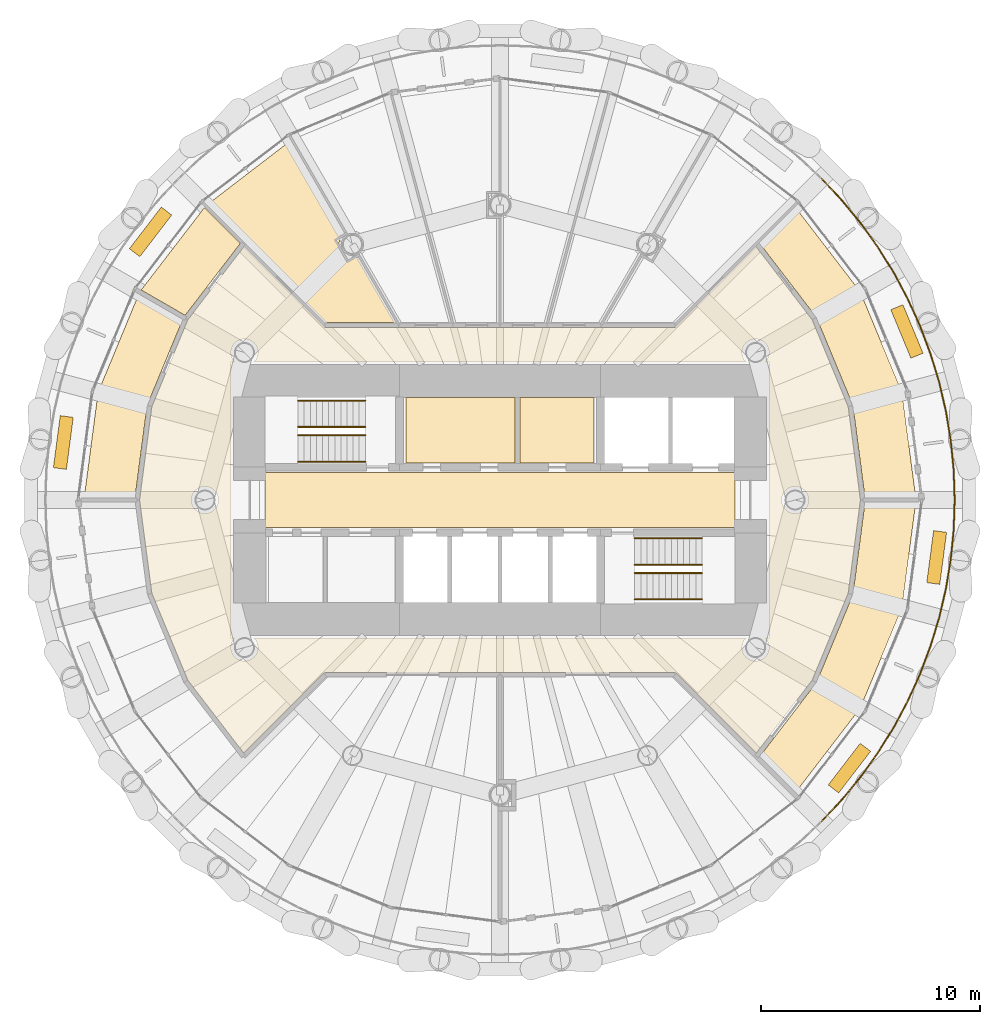
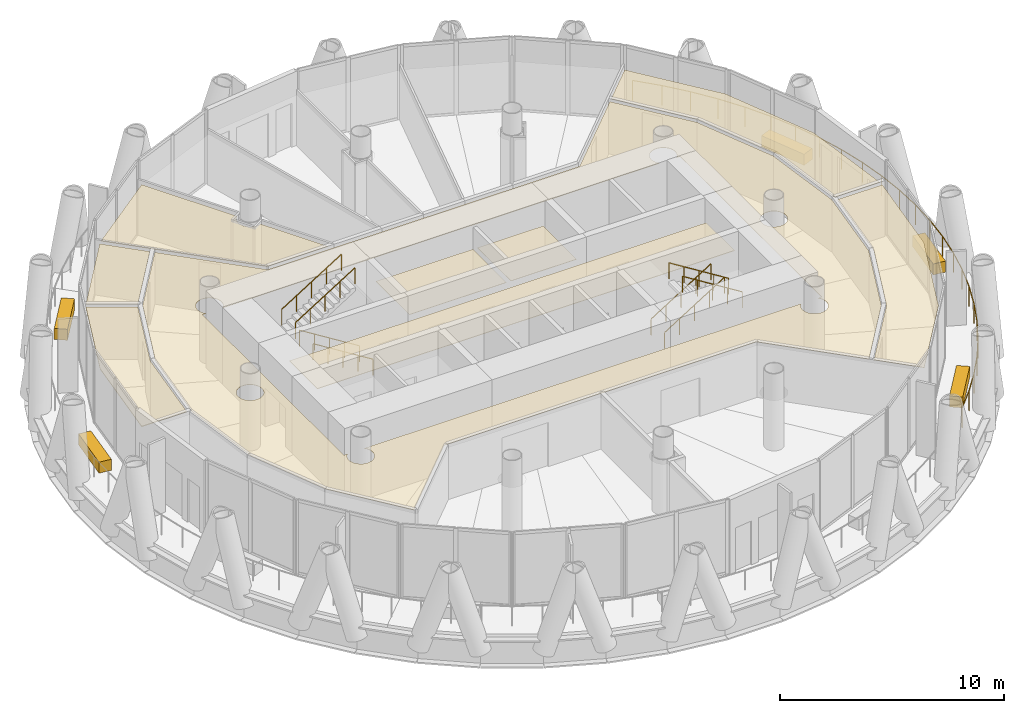
# One storey, part 14 of 15: 14 coverings, 9 railings.
"""IFC4 building model written with IfcOpenShell, lengths in metres."""

from ifc_helpers import new_model, si_unit, direction, frame, origin, origin_2d, place, context, subcontext, project, spatial, polyline, rectangle, circle, outline, extrude, material, layer, layer_set, type_object, element, save


model = new_model("IFC4")

# Units and contexts
model_context = context("Model", 3, precision=1e-05, world=origin(), true_north=direction((0.0, 1.0)))
body_context = subcontext(model_context, "Body", "Model", "MODEL_VIEW")
ifc_project = project(units=[si_unit("LENGTHUNIT", "METRE"), si_unit("AREAUNIT", "SQUARE_METRE"), si_unit("VOLUMEUNIT", "CUBIC_METRE"), si_unit("PLANEANGLEUNIT", "RADIAN"), si_unit("MASSUNIT", "GRAM", prefix="KILO")], contexts=[model_context])

# Site, building, storey
site_placement = place(None, origin())
site = spatial("IfcSite", under=ifc_project, at=site_placement, CompositionType="ELEMENT")
building_placement = place(site_placement, origin())
building = spatial("IfcBuilding", under=site, at=building_placement, Name="Qaws Media Tower", CompositionType="ELEMENT")
storey_placement = place(building_placement, frame((0.0, 0.0, 265.39990234375)))
storey = spatial("IfcBuildingStorey", under=building, at=storey_placement, Name="L61", CompositionType="ELEMENT", Elevation=265.39990234375)

# Covering
ifc_material_1 = material(Name="40 perforated acoustic panels with mineral wool backing, suspended", Category="mineral fibre")
ifc_layer_1 = layer(ifc_material_1, 0.0400390625)
ifc_layer_set_1 = layer_set([ifc_layer_1], Name="Acoustic panel ceiling 40")
covering_type_1 = type_object("IfcCoveringType", Name="Acoustic panel ceiling 40", PredefinedType="CEILING", material=ifc_layer_set_1)
covering_1_placement = place(storey_placement, frame((0.0, 0.0, 2.85009765625)))
element("IfcCovering", 1, at=covering_1_placement, inside=storey, type_object=covering_type_1, Name="CL3 ceiling L61-10 Executive meeting room", PredefinedType="CEILING", context=body_context, shape_type="SweptSolid", body=[
    extrude(outline(polyline([(41.61328125, 54.9267578125), (43.4716796875, 59.412841796875), (45.482421875, 58.251953125), (43.85595703125, 54.32568359375), (43.30126953125, 50.112548828125), (40.9794921875, 50.112548828125), (41.61328125, 54.9267578125)])), origin(), (0.0, 0.0, 1.0), 0.0400390625),
])

# Railing
ifc_material_2 = material(Name="Stainless steel and glass guard", Category="steel")
railing_type_1 = type_object("IfcRailingType", Name="Balcony guard 1100", PredefinedType="GUARDRAIL", material=ifc_material_2)
railing_placement = place(storey_placement, frame((74.707763671875, 35.292236328125, 0.0)))
element("IfcRailing", 2, at=railing_placement, inside=storey, type_object=railing_type_1, Name="GR1 balcony guard L61-4", PredefinedType="GUARDRAIL", context=body_context, shape_type="SweptSolid", body=[
    extrude(circle(Radius=0.02392578125, at=origin_2d()), frame((0.0, 0.0, 1.076171875), z_axis=(0.683589016523, 0.72986714989, 0.0), x_axis=(-0.72986714989, 0.683589016523, 0.0)), (0.0, 0.0, 1.0), 1.361083984375),
    extrude(circle(Radius=0.02392578125, at=origin_2d()), frame((0.930419921875, 0.993408203125, 1.076171875), z_axis=(0.634467786401, 0.772949304948, 0.0), x_axis=(-0.772949304948, 0.634467786401, 0.0)), (0.0, 0.0, 1.0), 1.361083984375),
    extrude(circle(Radius=0.02392578125, at=origin_2d()), frame((1.7939453125, 2.04541015625, 1.076171875), z_axis=(0.582526840805, 0.812811466296, 0.0), x_axis=(-0.812811466296, 0.582526840805, 0.0)), (0.0, 0.0, 1.0), 1.361328125),
    extrude(circle(Radius=0.02392578125, at=origin_2d()), frame((2.5869140625, 3.15185546875, 1.076171875), z_axis=(0.528014534566, 0.849235333278, 0.0), x_axis=(-0.849235333278, 0.528014534566, 0.0)), (0.0, 0.0, 1.0), 1.361328125),
    extrude(circle(Radius=0.02392578125, at=origin_2d()), frame((3.3056640625, 4.307861328125, 1.076171875), z_axis=(0.471444630304, 0.881895663079, 0.0), x_axis=(-0.881895663079, 0.471444630304, 0.0)), (0.0, 0.0, 1.0), 1.36083984375),
    extrude(circle(Radius=0.02392578125, at=origin_2d()), frame((3.947265625, 5.508056640625, 1.076171875), z_axis=(0.41266760436, 0.910881687329, 0.0), x_axis=(-0.910881687329, 0.41266760436, 0.0)), (0.0, 0.0, 1.0), 1.361328125),
    extrude(circle(Radius=0.02392578125, at=origin_2d()), frame((4.509033203125, 6.748046875, 1.076171875), z_axis=(0.352165227641, 0.935937846462, 0.0), x_axis=(-0.935937846462, 0.352165227641, 0.0)), (0.0, 0.0, 1.0), 1.36083984375),
    extrude(circle(Radius=0.02392578125, at=origin_2d()), frame((4.98828125, 8.021728515625, 1.076171875), z_axis=(0.290390689523, 0.956908170849, 0.0), x_axis=(-0.956908170849, 0.290390689523, 0.0)), (0.0, 0.0, 1.0), 1.361083984375),
    extrude(circle(Radius=0.02392578125, at=origin_2d()), frame((5.383544921875, 9.32421875, 1.076171875), z_axis=(0.227059520759, 0.973880882877, 0.0), x_axis=(-0.973880882877, 0.227059520759, 0.0)), (0.0, 0.0, 1.0), 1.361328125),
    extrude(circle(Radius=0.02392578125, at=origin_2d()), frame((5.692626953125, 10.64990234375, 1.076171875), z_axis=(0.162857275255, 0.986649637864, 0.0), x_axis=(-0.986649637864, 0.162857275255, 0.0)), (0.0, 0.0, 1.0), 1.361083984375),
    extrude(circle(Radius=0.02392578125, at=origin_2d()), frame((5.914306640625, 11.992919921875, 1.076171875), z_axis=(0.09794069397, 0.995192253017, 0.0), x_axis=(-0.995192253017, 0.09794069397, 0.0)), (0.0, 0.0, 1.0), 1.361083984375),
    extrude(circle(Radius=0.02392578125, at=origin_2d()), frame((6.047607421875, 13.347412109375, 1.076171875), z_axis=(0.032825086761, 0.999461111639, 0.0), x_axis=(-0.999461111639, 0.032825086761, 0.0)), (0.0, 0.0, 1.0), 1.361083984375),
    extrude(circle(Radius=0.02392578125, at=origin_2d()), frame((6.09228515625, 14.707763671875, 1.076171875), z_axis=(-0.032825086761, 0.999461111639, 0.0), x_axis=(-0.999461111639, -0.032825086761, 0.0)), (0.0, 0.0, 1.0), 1.361083984375),
    extrude(circle(Radius=0.02392578125, at=origin_2d()), frame((6.047607421875, 16.068115234375, 1.076171875), z_axis=(-0.09794069397, 0.995192253017, 0.0), x_axis=(-0.995192253017, -0.09794069397, 0.0)), (0.0, 0.0, 1.0), 1.361083984375),
    extrude(circle(Radius=0.02392578125, at=origin_2d()), frame((5.914306640625, 17.422607421875, 1.076171875), z_axis=(-0.162857275255, 0.986649637864, 0.0), x_axis=(-0.986649637864, -0.162857275255, 0.0)), (0.0, 0.0, 1.0), 1.361083984375),
    extrude(circle(Radius=0.02392578125, at=origin_2d()), frame((5.692626953125, 18.765625, 1.076171875), z_axis=(-0.227059520759, 0.973880882877, 0.0), x_axis=(-0.973880882877, -0.227059520759, 0.0)), (0.0, 0.0, 1.0), 1.361328125),
    extrude(circle(Radius=0.02392578125, at=origin_2d()), frame((5.383544921875, 20.09130859375, 1.076171875), z_axis=(-0.290390689523, 0.956908170849, 0.0), x_axis=(-0.956908170849, -0.290390689523, 0.0)), (0.0, 0.0, 1.0), 1.361083984375),
    extrude(circle(Radius=0.02392578125, at=origin_2d()), frame((4.98828125, 21.393798828125, 1.076171875), z_axis=(-0.352165227641, 0.935937846462, 0.0), x_axis=(-0.935937846462, -0.352165227641, 0.0)), (0.0, 0.0, 1.0), 1.36083984375),
    extrude(circle(Radius=0.02392578125, at=origin_2d()), frame((4.509033203125, 22.66748046875, 1.076171875), z_axis=(-0.41266760436, 0.910881687329, 0.0), x_axis=(-0.910881687329, -0.41266760436, 0.0)), (0.0, 0.0, 1.0), 1.361328125),
    extrude(circle(Radius=0.02392578125, at=origin_2d()), frame((3.947265625, 23.907470703125, 1.076171875), z_axis=(-0.471444630304, 0.881895663079, 0.0), x_axis=(-0.881895663079, -0.471444630304, 0.0)), (0.0, 0.0, 1.0), 1.36083984375),
    extrude(circle(Radius=0.02392578125, at=origin_2d()), frame((3.3056640625, 25.107666015625, 1.076171875), z_axis=(-0.528014534566, 0.849235333278, 0.0), x_axis=(-0.849235333278, -0.528014534566, 0.0)), (0.0, 0.0, 1.0), 1.361328125),
    extrude(circle(Radius=0.02392578125, at=origin_2d()), frame((2.5869140625, 26.263671875, 1.076171875), z_axis=(-0.582526840805, 0.812811466296, 0.0), x_axis=(-0.812811466296, -0.582526840805, 0.0)), (0.0, 0.0, 1.0), 1.361328125),
    extrude(circle(Radius=0.02392578125, at=origin_2d()), frame((1.7939453125, 27.3701171875, 1.076171875), z_axis=(-0.634467786401, 0.772949304948, 0.0), x_axis=(-0.772949304948, -0.634467786401, 0.0)), (0.0, 0.0, 1.0), 1.361083984375),
    extrude(circle(Radius=0.02392578125, at=origin_2d()), frame((0.930419921875, 28.422119140625, 1.076171875), z_axis=(-0.683589016523, 0.72986714989, 0.0), x_axis=(-0.72986714989, -0.683589016523, 0.0)), (0.0, 0.0, 1.0), 1.361083984375),
    extrude(circle(Radius=0.02099609375, at=origin_2d()), origin(), (0.0, 0.0, 1.0), 1.052001953125),
    extrude(circle(Radius=0.02099609375, at=origin_2d()), frame((0.930419921875, 0.993408203125, 0.0)), (0.0, 0.0, 1.0), 1.052001953125),
    extrude(circle(Radius=0.02099609375, at=origin_2d()), frame((1.7939453125, 2.04541015625, 0.0)), (0.0, 0.0, 1.0), 1.052001953125),
    extrude(circle(Radius=0.02099609375, at=origin_2d()), frame((2.5869140625, 3.15185546875, 0.0)), (0.0, 0.0, 1.0), 1.052001953125),
    extrude(circle(Radius=0.02099609375, at=origin_2d()), frame((3.3056640625, 4.307861328125, 0.0)), (0.0, 0.0, 1.0), 1.052001953125),
    extrude(circle(Radius=0.02099609375, at=origin_2d()), frame((3.947265625, 5.508056640625, 0.0)), (0.0, 0.0, 1.0), 1.052001953125),
    extrude(circle(Radius=0.02099609375, at=origin_2d()), frame((4.509033203125, 6.748046875, 0.0)), (0.0, 0.0, 1.0), 1.052001953125),
    extrude(circle(Radius=0.02099609375, at=origin_2d()), frame((4.98828125, 8.021728515625, 0.0)), (0.0, 0.0, 1.0), 1.052001953125),
    extrude(circle(Radius=0.02099609375, at=origin_2d()), frame((5.383544921875, 9.32421875, 0.0)), (0.0, 0.0, 1.0), 1.052001953125),
    extrude(circle(Radius=0.02099609375, at=origin_2d()), frame((5.692626953125, 10.64990234375, 0.0)), (0.0, 0.0, 1.0), 1.052001953125),
    extrude(circle(Radius=0.02099609375, at=origin_2d()), frame((5.914306640625, 11.992919921875, 0.0)), (0.0, 0.0, 1.0), 1.052001953125),
    extrude(circle(Radius=0.02099609375, at=origin_2d()), frame((6.047607421875, 13.347412109375, 0.0)), (0.0, 0.0, 1.0), 1.052001953125),
    extrude(circle(Radius=0.02099609375, at=origin_2d()), frame((6.09228515625, 14.707763671875, 0.0)), (0.0, 0.0, 1.0), 1.052001953125),
    extrude(circle(Radius=0.02099609375, at=origin_2d()), frame((6.047607421875, 16.068115234375, 0.0)), (0.0, 0.0, 1.0), 1.052001953125),
    extrude(circle(Radius=0.02099609375, at=origin_2d()), frame((5.914306640625, 17.422607421875, 0.0)), (0.0, 0.0, 1.0), 1.052001953125),
    extrude(circle(Radius=0.02099609375, at=origin_2d()), frame((5.692626953125, 18.765625, 0.0)), (0.0, 0.0, 1.0), 1.052001953125),
    extrude(circle(Radius=0.02099609375, at=origin_2d()), frame((5.383544921875, 20.09130859375, 0.0)), (0.0, 0.0, 1.0), 1.052001953125),
    extrude(circle(Radius=0.02099609375, at=origin_2d()), frame((4.98828125, 21.393798828125, 0.0)), (0.0, 0.0, 1.0), 1.052001953125),
    extrude(circle(Radius=0.02099609375, at=origin_2d()), frame((4.509033203125, 22.66748046875, 0.0)), (0.0, 0.0, 1.0), 1.052001953125),
    extrude(circle(Radius=0.02099609375, at=origin_2d()), frame((3.947265625, 23.907470703125, 0.0)), (0.0, 0.0, 1.0), 1.052001953125),
    extrude(circle(Radius=0.02099609375, at=origin_2d()), frame((3.3056640625, 25.107666015625, 0.0)), (0.0, 0.0, 1.0), 1.052001953125),
    extrude(circle(Radius=0.02099609375, at=origin_2d()), frame((2.5869140625, 26.263671875, 0.0)), (0.0, 0.0, 1.0), 1.052001953125),
    extrude(circle(Radius=0.02099609375, at=origin_2d()), frame((1.7939453125, 27.3701171875, 0.0)), (0.0, 0.0, 1.0), 1.052001953125),
    extrude(circle(Radius=0.02099609375, at=origin_2d()), frame((0.930419921875, 28.422119140625, 0.0)), (0.0, 0.0, 1.0), 1.052001953125),
    extrude(circle(Radius=0.02099609375, at=origin_2d()), frame((0.0, 29.41552734375, 0.0)), (0.0, 0.0, 1.0), 1.052001953125),
])

# Coverings
ifc_material_3 = material(Name="600 x 600 mineral fibre tiles in exposed grid, suspended", Category="mineral fibre")
ifc_layer_2 = layer(ifc_material_3, 0.02001953125)
ifc_layer_set_2 = layer_set([ifc_layer_2], Name="Mineral fibre tile ceiling 20")
covering_type_2 = type_object("IfcCoveringType", Name="Mineral fibre tile ceiling 20", PredefinedType="CEILING", material=ifc_layer_set_2)
covering_2_placement = place(storey_placement, frame((0.0, 0.0, 2.85009765625)))
element("IfcCovering", 3, at=covering_2_placement, inside=storey, type_object=covering_type_2, Name="CL1 ceiling L61-C07 Gents toilets", PredefinedType="CEILING", context=body_context, shape_type="SweptSolid", body=[
    extrude(outline(polyline([(55.695068359375, 51.695068359375), (55.695068359375, 54.679931640625), (60.6845703125, 54.679931640625), (60.6845703125, 51.695068359375), (55.695068359375, 51.695068359375)])), origin(), (0.0, 0.0, 1.0), 0.02001953125),
])
covering_3_placement = place(storey_placement, frame((0.0, 0.0, 2.85009765625)))
element("IfcCovering", 4, at=covering_3_placement, inside=storey, type_object=covering_type_2, Name="CL1 ceiling L61-C08 Ladies toilets", PredefinedType="CEILING", context=body_context, shape_type="SweptSolid", body=[
    extrude(outline(polyline([(60.924560546875, 51.695068359375), (60.924560546875, 54.679931640625), (64.304931640625, 54.679931640625), (64.304931640625, 51.695068359375), (60.924560546875, 51.695068359375)])), origin(), (0.0, 0.0, 1.0), 0.02001953125),
])
covering_4_placement = place(storey_placement, frame((0.0, 0.0, 2.85009765625)))
element("IfcCovering", 5, at=covering_4_placement, inside=storey, type_object=covering_type_2, Name="CL1 ceiling L61-01 Corridor", PredefinedType="CEILING", context=body_context, shape_type="SweptSolid", body=[
    extrude(outline(polyline([(44.0751953125, 45.73291015625), (43.513427734375, 50.0), (44.0751953125, 54.26708984375), (45.72216796875, 58.243408203125), (48.273193359375, 61.567626953125), (51.953369140625, 57.887451171875), (68.046630859375, 57.887451171875), (71.726806640625, 61.567626953125), (74.27783203125, 58.243408203125), (75.9248046875, 54.26708984375), (76.486572265625, 50.0), (75.9248046875, 45.73291015625), (74.27783203125, 41.756591796875), (71.726806640625, 38.432373046875), (68.046630859375, 42.112548828125), (51.953369140625, 42.112548828125), (48.273193359375, 38.432373046875), (45.72216796875, 41.756591796875), (44.0751953125, 45.73291015625)]), holes=[polyline([(72.126220703125, 56.3125), (72.180908203125, 56.37451171875), (72.2255859375, 56.44140625), (72.261474609375, 56.513916015625), (72.287353515625, 56.59033203125), (72.302978515625, 56.66943359375), (72.308349609375, 56.75), (72.302978515625, 56.83056640625), (72.287353515625, 56.90966796875), (72.261474609375, 56.986083984375), (72.2255859375, 57.05859375), (72.180908203125, 57.12548828125), (72.127685546875, 57.186279296875), (72.06689453125, 57.239501953125), (71.999755859375, 57.2841796875), (71.927490234375, 57.320068359375), (71.85107421875, 57.345947265625), (71.77197265625, 57.36181640625), (71.69140625, 57.366943359375), (71.61083984375, 57.36181640625), (71.53173828125, 57.345947265625), (71.455078125, 57.320068359375), (71.3828125, 57.2841796875), (71.315673828125, 57.239501953125), (71.255126953125, 57.186279296875), (71.201904296875, 57.12548828125), (71.156982421875, 57.05859375), (71.121337890625, 56.986083984375), (71.095458984375, 56.90966796875), (71.07958984375, 56.83056640625), (71.07421875, 56.75), (71.07958984375, 56.66943359375), (71.095458984375, 56.59033203125), (71.121337890625, 56.513916015625), (71.156982421875, 56.44140625), (71.201904296875, 56.37451171875), (71.25634765625, 56.3125), (48.74365234375, 56.3125), (48.798095703125, 56.37451171875), (48.843017578125, 56.44140625), (48.878662109375, 56.513916015625), (48.904541015625, 56.59033203125), (48.92041015625, 56.66943359375), (48.92578125, 56.75), (48.92041015625, 56.83056640625), (48.904541015625, 56.90966796875), (48.878662109375, 56.986083984375), (48.843017578125, 57.05859375), (48.798095703125, 57.12548828125), (48.744873046875, 57.186279296875), (48.684326171875, 57.239501953125), (48.6171875, 57.2841796875), (48.544921875, 57.320068359375), (48.46826171875, 57.345947265625), (48.38916015625, 57.36181640625), (48.30859375, 57.366943359375), (48.22802734375, 57.36181640625), (48.14892578125, 57.345947265625), (48.072509765625, 57.320068359375), (48.000244140625, 57.2841796875), (47.93310546875, 57.239501953125), (47.872314453125, 57.186279296875), (47.819091796875, 57.12548828125), (47.7744140625, 57.05859375), (47.738525390625, 56.986083984375), (47.712646484375, 56.90966796875), (47.697021484375, 56.83056640625), (47.691650390625, 56.75), (47.697021484375, 56.66943359375), (47.712646484375, 56.59033203125), (47.738525390625, 56.513916015625), (47.7744140625, 56.44140625), (47.819091796875, 56.37451171875), (47.873779296875, 56.3125), (47.6875, 56.3125), (47.6875, 43.6875), (47.873779296875, 43.6875), (47.819091796875, 43.62548828125), (47.7744140625, 43.55859375), (47.738525390625, 43.486083984375), (47.712646484375, 43.40966796875), (47.697021484375, 43.33056640625), (47.691650390625, 43.25), (47.697021484375, 43.16943359375), (47.712646484375, 43.09033203125), (47.738525390625, 43.013916015625), (47.7744140625, 42.94140625), (47.819091796875, 42.87451171875), (47.872314453125, 42.813720703125), (47.93310546875, 42.760498046875), (48.000244140625, 42.7158203125), (48.072509765625, 42.679931640625), (48.14892578125, 42.654052734375), (48.22802734375, 42.63818359375), (48.30859375, 42.633056640625), (48.38916015625, 42.63818359375), (48.46826171875, 42.654052734375), (48.544921875, 42.679931640625), (48.6171875, 42.7158203125), (48.684326171875, 42.760498046875), (48.744873046875, 42.813720703125), (48.798095703125, 42.87451171875), (48.843017578125, 42.94140625), (48.878662109375, 43.013916015625), (48.904541015625, 43.09033203125), (48.92041015625, 43.16943359375), (48.92578125, 43.25), (48.92041015625, 43.33056640625), (48.904541015625, 43.40966796875), (48.878662109375, 43.486083984375), (48.843017578125, 43.55859375), (48.798095703125, 43.62548828125), (48.74365234375, 43.6875), (71.25634765625, 43.6875), (71.201904296875, 43.62548828125), (71.156982421875, 43.55859375), (71.121337890625, 43.486083984375), (71.095458984375, 43.40966796875), (71.07958984375, 43.33056640625), (71.07421875, 43.25), (71.07958984375, 43.16943359375), (71.095458984375, 43.09033203125), (71.121337890625, 43.013916015625), (71.156982421875, 42.94140625), (71.201904296875, 42.87451171875), (71.255126953125, 42.813720703125), (71.315673828125, 42.760498046875), (71.3828125, 42.7158203125), (71.455078125, 42.679931640625), (71.53173828125, 42.654052734375), (71.61083984375, 42.63818359375), (71.69140625, 42.633056640625), (71.77197265625, 42.63818359375), (71.85107421875, 42.654052734375), (71.927490234375, 42.679931640625), (71.999755859375, 42.7158203125), (72.06689453125, 42.760498046875), (72.127685546875, 42.813720703125), (72.180908203125, 42.87451171875), (72.2255859375, 42.94140625), (72.261474609375, 43.013916015625), (72.287353515625, 43.09033203125), (72.302978515625, 43.16943359375), (72.308349609375, 43.25), (72.302978515625, 43.33056640625), (72.287353515625, 43.40966796875), (72.261474609375, 43.486083984375), (72.2255859375, 43.55859375), (72.180908203125, 43.62548828125), (72.126220703125, 43.6875), (72.3125, 43.6875), (72.3125, 56.3125), (72.126220703125, 56.3125)]), polyline([(47.070068359375, 49.763916015625), (47.095947265625, 49.84033203125), (47.11181640625, 49.91943359375), (47.116943359375, 50.0), (47.11181640625, 50.08056640625), (47.095947265625, 50.15966796875), (47.070068359375, 50.236083984375), (47.0341796875, 50.30859375), (46.989501953125, 50.37548828125), (46.936279296875, 50.436279296875), (46.87548828125, 50.489501953125), (46.80859375, 50.5341796875), (46.736083984375, 50.570068359375), (46.65966796875, 50.595947265625), (46.58056640625, 50.61181640625), (46.5, 50.616943359375), (46.41943359375, 50.61181640625), (46.34033203125, 50.595947265625), (46.263916015625, 50.570068359375), (46.19140625, 50.5341796875), (46.12451171875, 50.489501953125), (46.063720703125, 50.436279296875), (46.010498046875, 50.37548828125), (45.9658203125, 50.30859375), (45.929931640625, 50.236083984375), (45.904052734375, 50.15966796875), (45.88818359375, 50.08056640625), (45.883056640625, 50.0), (45.88818359375, 49.91943359375), (45.904052734375, 49.84033203125), (45.929931640625, 49.763916015625), (45.9658203125, 49.69140625), (46.010498046875, 49.62451171875), (46.063720703125, 49.563720703125), (46.12451171875, 49.510498046875), (46.19140625, 49.4658203125), (46.263916015625, 49.429931640625), (46.34033203125, 49.404052734375), (46.41943359375, 49.38818359375), (46.5, 49.383056640625), (46.58056640625, 49.38818359375), (46.65966796875, 49.404052734375), (46.736083984375, 49.429931640625), (46.80859375, 49.4658203125), (46.87548828125, 49.510498046875), (46.936279296875, 49.563720703125), (46.989501953125, 49.62451171875), (47.0341796875, 49.69140625), (47.070068359375, 49.763916015625)]), polyline([(74.095947265625, 49.84033203125), (74.11181640625, 49.91943359375), (74.116943359375, 50.0), (74.11181640625, 50.08056640625), (74.095947265625, 50.15966796875), (74.070068359375, 50.236083984375), (74.0341796875, 50.30859375), (73.989501953125, 50.37548828125), (73.936279296875, 50.436279296875), (73.87548828125, 50.489501953125), (73.80859375, 50.5341796875), (73.736083984375, 50.570068359375), (73.65966796875, 50.595947265625), (73.58056640625, 50.61181640625), (73.5, 50.616943359375), (73.41943359375, 50.61181640625), (73.34033203125, 50.595947265625), (73.263916015625, 50.570068359375), (73.19140625, 50.5341796875), (73.12451171875, 50.489501953125), (73.063720703125, 50.436279296875), (73.010498046875, 50.37548828125), (72.9658203125, 50.30859375), (72.929931640625, 50.236083984375), (72.904052734375, 50.15966796875), (72.88818359375, 50.08056640625), (72.883056640625, 50.0), (72.88818359375, 49.91943359375), (72.904052734375, 49.84033203125), (72.929931640625, 49.763916015625), (72.9658203125, 49.69140625), (73.010498046875, 49.62451171875), (73.063720703125, 49.563720703125), (73.12451171875, 49.510498046875), (73.19140625, 49.4658203125), (73.263916015625, 49.429931640625), (73.34033203125, 49.404052734375), (73.41943359375, 49.38818359375), (73.5, 49.383056640625), (73.58056640625, 49.38818359375), (73.65966796875, 49.404052734375), (73.736083984375, 49.429931640625), (73.80859375, 49.4658203125), (73.87548828125, 49.510498046875), (73.936279296875, 49.563720703125), (73.989501953125, 49.62451171875), (74.0341796875, 49.69140625), (74.070068359375, 49.763916015625), (74.095947265625, 49.84033203125)])]), origin(), (0.0, 0.0, 1.0), 0.02001953125),
])
covering_5_placement = place(storey_placement, frame((0.0, 0.0, 2.85009765625)))
element("IfcCovering", 6, at=covering_5_placement, inside=storey, type_object=covering_type_2, Name="CL1 ceiling L61-09 Focus room", PredefinedType="CEILING", context=body_context, shape_type="SweptSolid", body=[
    extrude(outline(polyline([(46.470947265625, 63.369873046875), (48.11279296875, 61.728271484375), (45.5947265625, 58.44677734375), (43.583984375, 59.607666015625), (46.470947265625, 63.369873046875)])), origin(), (0.0, 0.0, 1.0), 0.02001953125),
])
covering_6_placement = place(storey_placement, frame((0.0, 0.0, 2.85009765625)))
element("IfcCovering", 7, at=covering_6_placement, inside=storey, type_object=covering_type_2, Name="CL1 ceiling L61-13 Executive sitting room", PredefinedType="CEILING", context=body_context, shape_type="SweptSolid", body=[
    extrude(outline(polyline([(74.474365234375, 41.643310546875), (76.14404296875, 45.67431640625), (76.69873046875, 49.887451171875), (79.0205078125, 49.887451171875), (78.38671875, 45.0732421875), (76.485107421875, 40.482421875), (73.529052734375, 36.630126953125), (71.88720703125, 38.271728515625), (74.474365234375, 41.643310546875)])), origin(), (0.0, 0.0, 1.0), 0.02001953125),
])
ifc_material_4 = material(Name="Precast concrete planter with trailing planting", Category="concrete")
ifc_layer_3 = layer(ifc_material_4, 0.60009765625)
ifc_layer_set_3 = layer_set([ifc_layer_3], Name="Planter 2400x600")
covering_type_3 = type_object("IfcCoveringType", Name="Planter 2400x600", PredefinedType="USERDEFINED", material=ifc_layer_set_3)
for number, where, z_axis, x_axis, name in (
    (8, (78.6162109375, 57.711181640625, 0.0), (0.0, 0.0, 1.0), (-0.382683432365, 0.923879532511, 0.0), "PL1 balcony planter L61-01"),
    (9, (44.013916015625, 62.2666015625, 0.0), (0.0, 0.0, 1.0), (-0.608761429009, -0.793353340291, 0.0), "PL1 balcony planter L61-05"),
    (10, (40.0224609375, 52.630126953125, 0.0), (0.0, 0.0, 1.0), (-0.13052619222, -0.991444861374, 0.0), "PL1 balcony planter L61-06"),
    (11, (75.986083984375, 37.7333984375, 0.0), (0.0, 0.0, 1.0), (0.608761429009, 0.793353340291, 0.0), "PL1 balcony planter L61-11"),
    (12, (79.9775390625, 47.369873046875, 0.0), (0.0, 0.0, 1.0), (0.13052619222, 0.991444861374, 0.0), "PL1 balcony planter L61-12"),
):
    element("IfcCovering", number, at=place(storey_placement, frame(where, z_axis=z_axis, x_axis=x_axis)), inside=storey, type_object=covering_type_3, Name=name, ObjectType="PLANTER", PredefinedType="USERDEFINED", context=body_context, shape_type="SweptSolid", body=[
        extrude(rectangle(XDim=2.39990234375, YDim=0.60009765625, at=origin_2d()), origin(), (0.0, 0.0, 1.0), 0.60009765625),
    ])
ifc_material_5 = material(Name="Two layers 12.5 moisture-resistant plasterboard on suspended metal furring", Category="gypsum")
ifc_layer_4 = layer(ifc_material_5, 0.02490234375)
ifc_layer_set_4 = layer_set([ifc_layer_4], Name="Plasterboard ceiling 25")
covering_type_4 = type_object("IfcCoveringType", Name="Plasterboard ceiling 25", PredefinedType="CEILING", material=ifc_layer_set_4)
covering_7_placement = place(storey_placement, frame((0.0, 0.0, 2.85009765625)))
element("IfcCovering", 13, at=covering_7_placement, inside=storey, type_object=covering_type_4, Name="CL2 ceiling L61-C01 Lift lobby", PredefinedType="CEILING", context=body_context, shape_type="SweptSolid", body=[
    extrude(outline(polyline([(49.25, 48.75), (49.25, 51.25), (70.75, 51.25), (70.75, 48.75), (49.25, 48.75)])), origin(), (0.0, 0.0, 1.0), 0.02490234375),
])
covering_8_placement = place(storey_placement, frame((0.0, 0.0, 2.85009765625)))
element("IfcCovering", 14, at=covering_8_placement, inside=storey, type_object=covering_type_4, Name="CL2 ceiling L61-02 Chairman's office", PredefinedType="CEILING", context=body_context, shape_type="SweptSolid", body=[
    extrude(outline(polyline([(76.485107421875, 59.517578125), (78.38671875, 54.9267578125), (79.0205078125, 50.112548828125), (76.69873046875, 50.112548828125), (76.14404296875, 54.32568359375), (74.474365234375, 58.356689453125), (71.88720703125, 61.728271484375), (73.529052734375, 63.369873046875), (76.485107421875, 59.517578125)])), origin(), (0.0, 0.0, 1.0), 0.02490234375),
])
covering_9_placement = place(storey_placement, frame((0.0, 0.0, 2.85009765625)))
element("IfcCovering", 15, at=covering_9_placement, inside=storey, type_object=covering_type_4, Name="CL2 ceiling L61-08 Executive office", PredefinedType="CEILING", context=body_context, shape_type="SweptSolid", body=[
    extrude(outline(polyline([(50.392333984375, 66.416015625), (52.849853515625, 62.1591796875), (52.813720703125, 62.127685546875), (52.760498046875, 62.06689453125), (52.7158203125, 61.999755859375), (52.679931640625, 61.927490234375), (52.654052734375, 61.85107421875), (52.63818359375, 61.77197265625), (52.633056640625, 61.69140625), (52.63818359375, 61.61083984375), (52.654052734375, 61.53173828125), (52.679931640625, 61.455078125), (52.7158203125, 61.3828125), (52.760498046875, 61.315673828125), (52.813720703125, 61.255126953125), (52.87451171875, 61.201904296875), (52.94140625, 61.156982421875), (53.013916015625, 61.121337890625), (53.09033203125, 61.095458984375), (53.16943359375, 61.07958984375), (53.25, 61.07421875), (53.33056640625, 61.07958984375), (53.40966796875, 61.095458984375), (53.455078125, 61.11083984375), (55.186279296875, 58.112548828125), (52.046630859375, 58.112548828125), (46.630126953125, 63.529052734375), (50.392333984375, 66.416015625)])), origin(), (0.0, 0.0, 1.0), 0.02490234375),
])

# Railings
ifc_material_6 = material(Name="Steel tube handrail", Category="steel")
railing_type_2 = type_object("IfcRailingType", Name="Stair handrail 900", PredefinedType="HANDRAIL", material=ifc_material_6)
for number, where, name in (
    (16, (53.840087890625, 51.75, 0.175048828125), "HR1 handrail S1 flight 1 L61"),
    (17, (53.840087890625, 52.9599609375, 0.175048828125), "HR1 handrail S1 flight 1 L61"),
):
    element("IfcRailing", number, at=place(storey_placement, frame(where)), inside=storey, type_object=railing_type_2, Name=name, PredefinedType="HANDRAIL", context=body_context, shape_type="SweptSolid", body=[
        extrude(circle(Radius=0.02392578125, at=origin_2d()), frame((0.0, 0.0, 0.8759765625), z_axis=(-0.847998304005, 0.0, 0.529998940003), x_axis=(0.0, -1.0, 0.0)), (0.0, 0.0, 1.0), 3.632080078125),
        extrude(circle(Radius=0.02099609375, at=origin_2d()), origin(), (0.0, 0.0, 1.0), 0.851806640625),
        extrude(circle(Radius=0.02099609375, at=origin_2d()), frame((-0.77001953125, 0.0, 0.481201171875)), (0.0, 0.0, 1.0), 0.851806640625),
        extrude(circle(Radius=0.02099609375, at=origin_2d()), frame((-1.5400390625, 0.0, 0.96240234375)), (0.0, 0.0, 1.0), 0.851806640625),
        extrude(circle(Radius=0.02099609375, at=origin_2d()), frame((-2.31005859375, 0.0, 1.44384765625)), (0.0, 0.0, 1.0), 0.851806640625),
        extrude(circle(Radius=0.02099609375, at=origin_2d()), frame((-3.080078125, 0.0, 1.925048828125)), (0.0, 0.0, 1.0), 0.851806640625),
    ])
for number, where, name in (
    (18, (50.760009765625, 54.550048828125, 2.275146484375), "HR1 handrail S1 flight 2 L61"),
    (19, (50.760009765625, 53.340087890625, 2.275146484375), "HR1 handrail S1 flight 2 L61"),
    (20, (66.159912109375, 48.25, 0.175048828125), "HR1 handrail S2 flight 1 L61"),
    (21, (66.159912109375, 47.0400390625, 0.175048828125), "HR1 handrail S2 flight 1 L61"),
):
    element("IfcRailing", number, at=place(storey_placement, frame(where)), inside=storey, type_object=railing_type_2, Name=name, PredefinedType="HANDRAIL", context=body_context, shape_type="SweptSolid", body=[
        extrude(circle(Radius=0.02392578125, at=origin_2d()), frame((0.0, 0.0, 0.8759765625), z_axis=(0.847998304005, 0.0, 0.529998940003), x_axis=(0.0, 1.0, 0.0)), (0.0, 0.0, 1.0), 3.632080078125),
        extrude(circle(Radius=0.02099609375, at=origin_2d()), origin(), (0.0, 0.0, 1.0), 0.851806640625),
        extrude(circle(Radius=0.02099609375, at=origin_2d()), frame((0.77001953125, 0.0, 0.481201171875)), (0.0, 0.0, 1.0), 0.851806640625),
        extrude(circle(Radius=0.02099609375, at=origin_2d()), frame((1.5400390625, 0.0, 0.96240234375)), (0.0, 0.0, 1.0), 0.851806640625),
        extrude(circle(Radius=0.02099609375, at=origin_2d()), frame((2.31005859375, 0.0, 1.44384765625)), (0.0, 0.0, 1.0), 0.851806640625),
        extrude(circle(Radius=0.02099609375, at=origin_2d()), frame((3.080078125, 0.0, 1.925048828125)), (0.0, 0.0, 1.0), 0.851806640625),
    ])
for number, where, name in (
    (22, (69.239990234375, 45.449951171875, 2.275146484375), "HR1 handrail S2 flight 2 L61"),
    (23, (69.239990234375, 46.659912109375, 2.275146484375), "HR1 handrail S2 flight 2 L61"),
):
    element("IfcRailing", number, at=place(storey_placement, frame(where)), inside=storey, type_object=railing_type_2, Name=name, PredefinedType="HANDRAIL", context=body_context, shape_type="SweptSolid", body=[
        extrude(circle(Radius=0.02392578125, at=origin_2d()), frame((0.0, 0.0, 0.8759765625), z_axis=(-0.847998304005, 0.0, 0.529998940003), x_axis=(0.0, -1.0, 0.0)), (0.0, 0.0, 1.0), 3.632080078125),
        extrude(circle(Radius=0.02099609375, at=origin_2d()), origin(), (0.0, 0.0, 1.0), 0.851806640625),
        extrude(circle(Radius=0.02099609375, at=origin_2d()), frame((-0.77001953125, 0.0, 0.481201171875)), (0.0, 0.0, 1.0), 0.851806640625),
        extrude(circle(Radius=0.02099609375, at=origin_2d()), frame((-1.5400390625, 0.0, 0.96240234375)), (0.0, 0.0, 1.0), 0.851806640625),
        extrude(circle(Radius=0.02099609375, at=origin_2d()), frame((-2.31005859375, 0.0, 1.44384765625)), (0.0, 0.0, 1.0), 0.851806640625),
        extrude(circle(Radius=0.02099609375, at=origin_2d()), frame((-3.080078125, 0.0, 1.925048828125)), (0.0, 0.0, 1.0), 0.851806640625),
    ])

save(model, "model.ifc")
